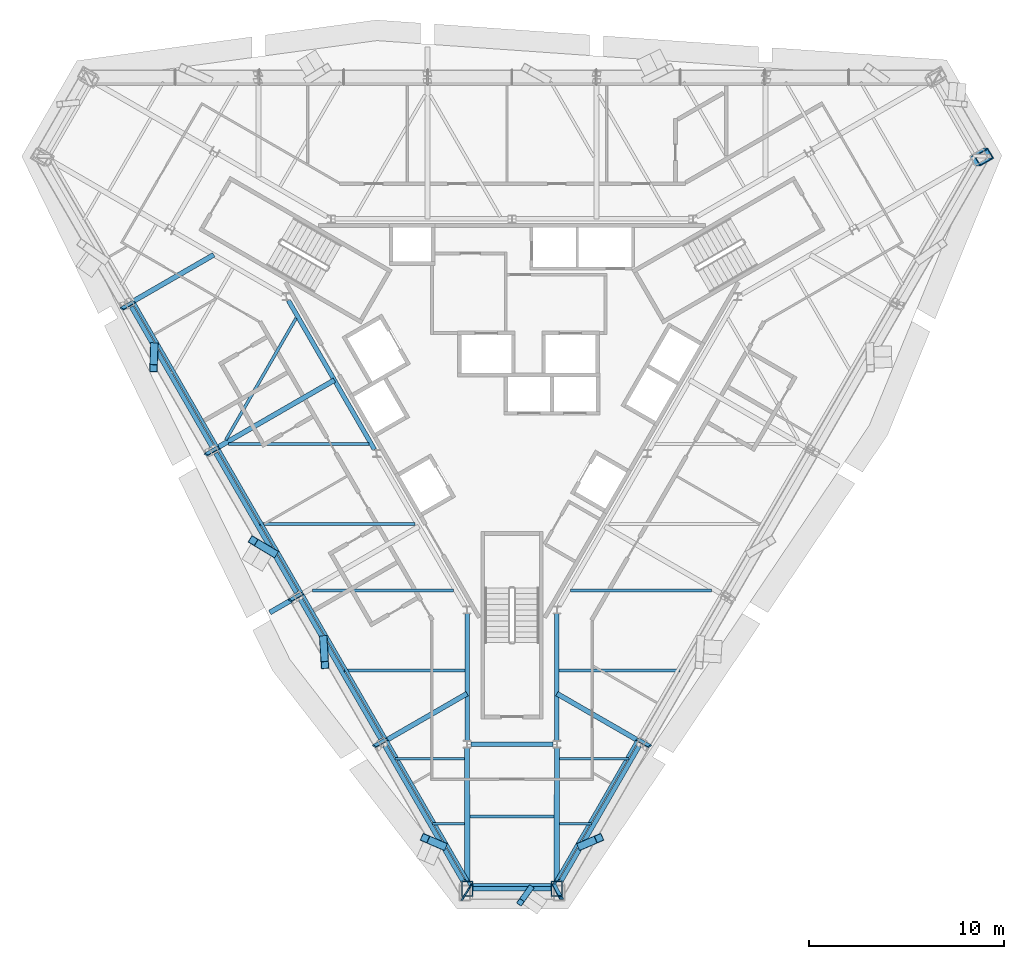
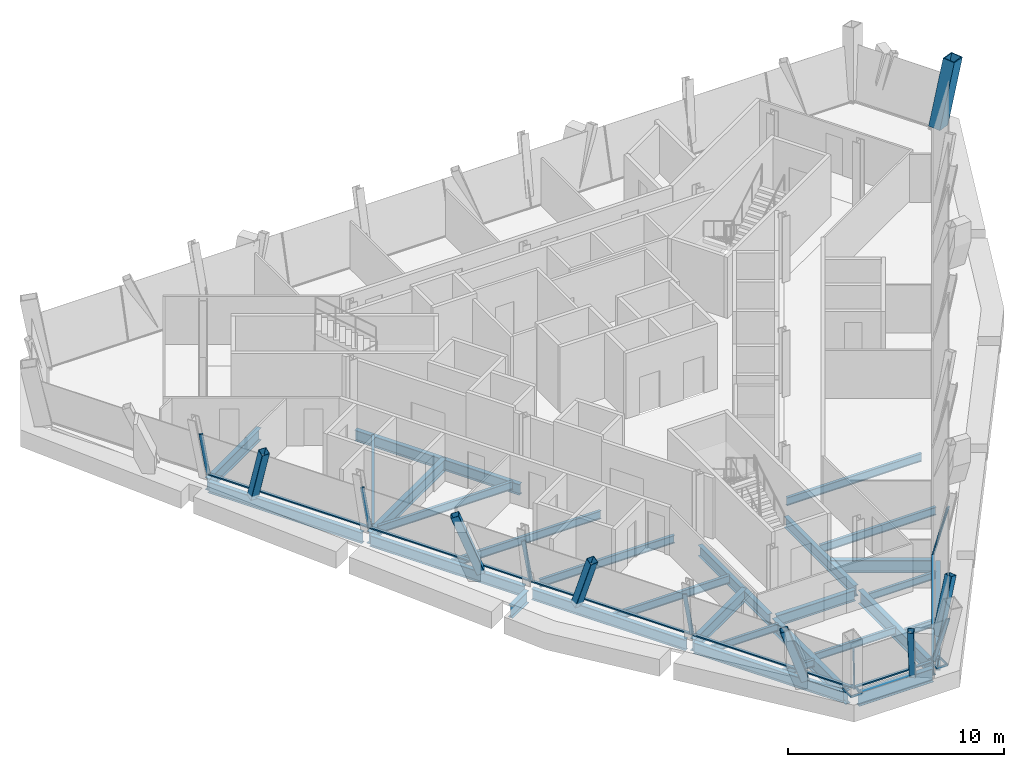
# One storey, part 2 of 10: 29 beams, 21 members, 1 column, 3 elements without a shape of their own.
"""IFC4 building model written with IfcOpenShell, lengths in metres."""

from ifc_helpers import new_model, si_unit, direction, frame, origin, origin_2d, place, context, subcontext, project, spatial, rectangle, hollow_rectangle, i_section, extrude, material, material_profile, profile_set, type_object, element, aggregate, save


model = new_model("IFC4")

# Units and contexts
model_context = context("Model", 3, precision=1e-05, world=origin(), true_north=direction((0.0, 1.0)))
body_context = subcontext(model_context, "Body", "Model", "MODEL_VIEW")
ifc_project = project(units=[si_unit("LENGTHUNIT", "METRE"), si_unit("AREAUNIT", "SQUARE_METRE"), si_unit("VOLUMEUNIT", "CUBIC_METRE"), si_unit("PLANEANGLEUNIT", "RADIAN"), si_unit("MASSUNIT", "GRAM", prefix="KILO")], contexts=[model_context])

# Site, building, storey
site_placement = place(None, origin())
site = spatial("IfcSite", under=ifc_project, at=site_placement, CompositionType="ELEMENT")
building_placement = place(site_placement, origin())
building = spatial("IfcBuilding", under=site, at=building_placement, Name="Verrane Prism Tower", CompositionType="ELEMENT")
storey_placement = place(building_placement, frame((0.0, 0.0, 213.800048828125)))
storey = spatial("IfcBuildingStorey", under=building, at=storey_placement, Name="L53", CompositionType="ELEMENT", Elevation=213.800048828125)

# Column
ifc_material_1 = material(Name="Steel A572 Grade 50", Category="steel")
ifc_material_profile_1 = material_profile(ifc_material_1, hollow_rectangle(XDim=0.60009765625, YDim=0.800048828125, WallThickness=0.050048828125, at=origin_2d()), Name="BOX 800x600x50")
ifc_profile_set_1 = profile_set([ifc_material_profile_1], Name="Steel A572 Grade 50")
column_type = type_object("IfcColumnType", Name="Megacolumn BOX 800x600x50", PredefinedType="COLUMN", material=ifc_profile_set_1)
column_placement = place(storey_placement, frame((23.92431640625, 11.159912109375, 0.06494140625), z_axis=(0.213838328366, 0.0, 0.976869064574), x_axis=(0.497033455356, -0.860883256594, -0.10880148332)))
element("IfcColumn", 1, at=column_placement, inside=storey, type_object=column_type, Name="Megacolumn MC-NE.a L53", PredefinedType="COLUMN", context=body_context, shape_type="SweptSolid", body=[
    extrude(hollow_rectangle(XDim=0.60009765625, YDim=0.800048828125, WallThickness=0.050048828125, at=origin_2d()), origin(), (0.0, 0.0, 1.0), 3.654541015625),
])

# Member
ifc_material_2 = material(Name="Steel A500 Grade C", Category="steel")
ifc_material_profile_2 = material_profile(ifc_material_2, hollow_rectangle(XDim=0.3046875, YDim=0.3046875, WallThickness=0.0126953125, InnerFilletRadius=0.00634765625, OuterFilletRadius=0.01904296875, at=origin_2d()), Name="HSS12x12x1/2")
ifc_profile_set_2 = profile_set([ifc_material_profile_2], Name="Steel A500 Grade C")
member_type_1 = type_object("IfcMemberType", Name="Chamfer brace HSS12x12x1/2", PredefinedType="BRACE", material=ifc_profile_set_2)
member_1_placement = place(storey_placement, frame((0.93359375, -26.2900390625, -0.24267578125), z_axis=(-0.155556400951, -0.217021995876, 0.96369272044), x_axis=(0.81277461966, -0.582578250227, 0.0)))
element("IfcMember", 2, at=member_1_placement, inside=storey, type_object=member_type_1, Name="Chamfer brace S0 L53", PredefinedType="BRACE", context=body_context, shape_type="SweptSolid", body=[
    extrude(hollow_rectangle(XDim=0.3046875, YDim=0.3046875, WallThickness=0.0126953125, InnerFilletRadius=0.00634765625, OuterFilletRadius=0.01904296875, at=origin_2d()), origin(), (0.0, 0.0, 1.0), 3.225341796875),
])

# Beams
ifc_material_3 = material(Name="Steel A992", Category="steel")
ifc_material_profile_3 = material_profile(ifc_material_3, i_section(OverallWidth=0.2666015625, OverallDepth=0.7568359375, WebThickness=0.013916015625, FlangeThickness=0.019287109375, FilletRadius=0.0166015625, at=origin_2d()), Name="W30x108")
ifc_profile_set_3 = profile_set([ifc_material_profile_3], Name="Steel A992")
beam_type_1 = type_object("IfcBeamType", Name="Chamfer spandrel beam W30x108", PredefinedType="SPANDREL", material=ifc_profile_set_3)
beam_1_placement = place(storey_placement, frame((-1.989990234375, -26.2900390625, -0.53857421875), z_axis=(1.0, 0.0, 0.0), x_axis=(0.0, 1.0, 0.0)))
element("IfcBeam", 3, at=beam_1_placement, inside=storey, type_object=beam_type_1, Name="Chamfer spandrel beam L53", PredefinedType="SPANDREL", context=body_context, shape_type="SweptSolid", body=[
    extrude(i_section(OverallWidth=0.2666015625, OverallDepth=0.7568359375, WebThickness=0.013916015625, FlangeThickness=0.019287109375, FilletRadius=0.0166015625, at=origin_2d()), origin(), (0.0, 0.0, 1.0), 3.97998046875),
])
ifc_material_4 = material(Name="Steel A992", Category="steel")
ifc_material_profile_4 = material_profile(ifc_material_4, i_section(OverallWidth=0.23046875, OverallDepth=0.6171875, WebThickness=0.01318359375, FlangeThickness=0.022216796875, FilletRadius=0.012939453125, at=origin_2d()), Name="W24x94")
ifc_profile_set_4 = profile_set([ifc_material_profile_4], Name="Steel A992")
beam_type_2 = type_object("IfcBeamType", Name="Core ring girder W24x94", PredefinedType="BEAM", material=ifc_profile_set_4)
beam_2_placement = place(storey_placement, frame((-11.448486328125, 3.826904296875, -0.55859375), z_axis=(0.499967007444, -0.866044451208, 0.0), x_axis=(0.866044451208, 0.499967007444, 0.0)))
element("IfcBeam", 4, at=beam_2_placement, inside=storey, type_object=beam_type_2, Name="Core ring girder L53", PredefinedType="BEAM", context=body_context, shape_type="SweptSolid", body=[
    extrude(i_section(OverallWidth=0.23046875, OverallDepth=0.6171875, WebThickness=0.01318359375, FlangeThickness=0.022216796875, FilletRadius=0.012939453125, at=origin_2d()), origin(), (0.0, 0.0, 1.0), 8.814453125),
])
beam_3_placement = place(storey_placement, frame((-2.300048828125, -12.212890625, -0.55859375), z_axis=(0.0, -1.0, 0.0), x_axis=(1.0, 0.0, 0.0)))
element("IfcBeam", 5, at=beam_3_placement, inside=storey, type_object=beam_type_2, Name="Core ring girder L53", PredefinedType="BEAM", context=body_context, shape_type="SweptSolid", body=[
    extrude(i_section(OverallWidth=0.23046875, OverallDepth=0.6171875, WebThickness=0.01318359375, FlangeThickness=0.022216796875, FilletRadius=0.012939453125, at=origin_2d()), origin(), (0.0, 0.0, 1.0), 6.48779296875),
])
beam_4_placement = place(storey_placement, frame((-2.099365234375, -18.89990234375, -0.55859375), z_axis=(1.0, 0.0, 0.0), x_axis=(0.0, 1.0, 0.0)))
element("IfcBeam", 6, at=beam_4_placement, inside=storey, type_object=beam_type_2, Name="Core ring girder L53", PredefinedType="BEAM", context=body_context, shape_type="SweptSolid", body=[
    extrude(i_section(OverallWidth=0.23046875, OverallDepth=0.6171875, WebThickness=0.01318359375, FlangeThickness=0.022216796875, FilletRadius=0.012939453125, at=origin_2d()), origin(), (0.0, 0.0, 1.0), 4.19873046875),
])
beam_5_placement = place(storey_placement, frame((2.300048828125, -18.70068359375, -0.55859375), z_axis=(0.0, 1.0, 0.0), x_axis=(-1.0, 0.0, 0.0)))
element("IfcBeam", 7, at=beam_5_placement, inside=storey, type_object=beam_type_2, Name="Core ring girder L53", PredefinedType="BEAM", context=body_context, shape_type="SweptSolid", body=[
    extrude(i_section(OverallWidth=0.23046875, OverallDepth=0.6171875, WebThickness=0.01318359375, FlangeThickness=0.022216796875, FilletRadius=0.012939453125, at=origin_2d()), origin(), (0.0, 0.0, 1.0), 6.48779296875),
])
ifc_material_5 = material(Name="Steel A992", Category="steel")
ifc_material_profile_5 = material_profile(ifc_material_5, i_section(OverallWidth=0.2666015625, OverallDepth=0.76708984375, WebThickness=0.014892578125, FlangeThickness=0.023681640625, FilletRadius=0.0166015625, at=origin_2d()), Name="W30x124")
ifc_profile_set_5 = profile_set([ifc_material_profile_5], Name="Steel A992")
beam_type_3 = type_object("IfcBeamType", Name="Corner girder W30x124", PredefinedType="BEAM", material=ifc_profile_set_5)
for number, where, z_axis, x_axis, name in (
    (8, (-2.29052734375, -25.889892578125, -0.603515625), (-0.001366217176, 0.999999066725, 0.0), (-0.999999066725, -0.001366217176, 0.0), "Corner girder L53"),
    (9, (2.29052734375, -25.889892578125, -0.603515625), (0.001366217176, 0.999999066725, 0.0), (-0.999999066725, 0.001366217176, 0.0), "Corner girder L53"),
):
    element("IfcBeam", number, at=place(storey_placement, frame(where, z_axis=z_axis, x_axis=x_axis)), inside=storey, type_object=beam_type_3, Name=name, PredefinedType="BEAM", context=body_context, shape_type="SweptSolid", body=[
        extrude(i_section(OverallWidth=0.2666015625, OverallDepth=0.76708984375, WebThickness=0.014892578125, FlangeThickness=0.023681640625, FilletRadius=0.0166015625, at=origin_2d()), origin(), (0.0, 0.0, 1.0), 6.79052734375),
    ])

# Members
ifc_material_6 = material(Name="Steel A500 Grade C", Category="steel")
ifc_material_profile_6 = material_profile(ifc_material_6, hollow_rectangle(XDim=0.406494140625, YDim=0.406494140625, WallThickness=0.01904296875, InnerFilletRadius=0.009521484375, OuterFilletRadius=0.028564453125, at=origin_2d()), Name="HSS16x16x3/4")
ifc_profile_set_6 = profile_set([ifc_material_profile_6], Name="Steel A500 Grade C")
member_type_2 = type_object("IfcMemberType", Name="Facade brace HSS16x16x3/4", PredefinedType="BRACE", material=ifc_profile_set_6)
member_2_placement = place(storey_placement, frame((-18.318603515625, 1.465576171875, -0.216796875), z_axis=(-0.010175192612, -0.327554604709, 0.944777458658), x_axis=(0.999517859416, -0.031049133769, 0.0)))
element("IfcMember", 10, at=member_2_placement, inside=storey, type_object=member_type_2, Name="Facade brace SW1 L53", PredefinedType="BRACE", context=body_context, shape_type="SweptSolid", body=[
    extrude(hollow_rectangle(XDim=0.406494140625, YDim=0.406494140625, WallThickness=0.01904296875, InnerFilletRadius=0.009521484375, OuterFilletRadius=0.028564453125, at=origin_2d()), origin(), (0.0, 0.0, 1.0), 3.383056640625),
])
member_3_placement = place(storey_placement, frame((-12.218994140625, -9.09765625, -0.216796875), z_axis=(-0.303173422741, 0.182804144391, 0.935237146684), x_axis=(-0.516363997567, -0.856369208938, 0.0)))
element("IfcMember", 11, at=member_3_placement, inside=storey, type_object=member_type_2, Name="Facade brace SW2 L53", PredefinedType="BRACE", context=body_context, shape_type="SweptSolid", body=[
    extrude(hollow_rectangle(XDim=0.406494140625, YDim=0.406494140625, WallThickness=0.01904296875, InnerFilletRadius=0.009521484375, OuterFilletRadius=0.028564453125, at=origin_2d()), origin(), (0.0, 0.0, 1.0), 3.417724609375),
])
member_4_placement = place(storey_placement, frame((-9.659423828125, -13.5302734375, -0.216796875), z_axis=(0.023386214641, -0.379266465843, 0.924991909614), x_axis=(0.998104321493, 0.061544808199, 0.0)))
element("IfcMember", 12, at=member_4_placement, inside=storey, type_object=member_type_2, Name="Facade brace SW3 L53", PredefinedType="BRACE", context=body_context, shape_type="SweptSolid", body=[
    extrude(hollow_rectangle(XDim=0.406494140625, YDim=0.406494140625, WallThickness=0.01904296875, InnerFilletRadius=0.009521484375, OuterFilletRadius=0.028564453125, at=origin_2d()), origin(), (0.0, 0.0, 1.0), 3.45556640625),
])
for number, where, z_axis, x_axis, name in (
    (13, (-3.5615234375, -24.0908203125, -0.216796875), (-0.295240797724, 0.126969676398, 0.9469485586), (-0.395070116267, -0.918650969211, 0.0), "Facade brace SW4 L53"),
    (14, (3.5615234375, -24.0908203125, -0.216796875), (0.295240797724, 0.126969676398, 0.9469485586), (-0.395070116267, 0.918650969211, 0.0), "Facade brace SE0 L53"),
):
    element("IfcMember", number, at=place(storey_placement, frame(where, z_axis=z_axis, x_axis=x_axis)), inside=storey, type_object=member_type_2, Name=name, PredefinedType="BRACE", context=body_context, shape_type="SweptSolid", body=[
        extrude(hollow_rectangle(XDim=0.406494140625, YDim=0.406494140625, WallThickness=0.01904296875, InnerFilletRadius=0.009521484375, OuterFilletRadius=0.028564453125, at=origin_2d()), origin(), (0.0, 0.0, 1.0), 3.026611328125),
    ])

# Beams
ifc_material_7 = material(Name="Steel A992", Category="steel")
ifc_material_profile_7 = material_profile(ifc_material_7, i_section(OverallWidth=0.140380859375, OverallDepth=0.40380859375, WebThickness=0.007080078125, FlangeThickness=0.01123046875, FilletRadius=0.01025390625, at=origin_2d()), Name="W16x31")
ifc_profile_set_7 = profile_set([ifc_material_profile_7], Name="Steel A992")
beam_type_4 = type_object("IfcBeamType", Name="Floor beam W16x31", PredefinedType="BEAM", material=ifc_profile_set_7)
beam_6_placement = place(storey_placement, frame((-4.080322265625, -22.96337890625, -0.362060546875), z_axis=(1.0, 0.0, 0.0), x_axis=(0.0, 1.0, 0.0)))
element("IfcBeam", 15, at=beam_6_placement, inside=storey, type_object=beam_type_4, Name="Floor beam L53", PredefinedType="BEAM", context=body_context, shape_type="SweptSolid", body=[
    extrude(i_section(OverallWidth=0.140380859375, OverallDepth=0.40380859375, WebThickness=0.007080078125, FlangeThickness=0.01123046875, FilletRadius=0.01025390625, at=origin_2d()), origin(), (0.0, 0.0, 1.0), 1.65234375),
])
beam_7_placement = place(storey_placement, frame((-6.00341796875, -19.63671875, -0.362060546875), z_axis=(1.0, 0.0, 0.0), x_axis=(0.0, 1.0, 0.0)))
element("IfcBeam", 16, at=beam_7_placement, inside=storey, type_object=beam_type_4, Name="Floor beam L53", PredefinedType="BEAM", context=body_context, shape_type="SweptSolid", body=[
    extrude(i_section(OverallWidth=0.140380859375, OverallDepth=0.40380859375, WebThickness=0.007080078125, FlangeThickness=0.01123046875, FilletRadius=0.01025390625, at=origin_2d()), origin(), (0.0, 0.0, 1.0), 3.57080078125),
])
beam_8_placement = place(storey_placement, frame((2.427978515625, -22.96337890625, -0.362060546875), z_axis=(1.0, 0.0, 0.0), x_axis=(0.0, 1.0, 0.0)))
element("IfcBeam", 17, at=beam_8_placement, inside=storey, type_object=beam_type_4, Name="Floor beam L53", PredefinedType="BEAM", context=body_context, shape_type="SweptSolid", body=[
    extrude(i_section(OverallWidth=0.140380859375, OverallDepth=0.40380859375, WebThickness=0.007080078125, FlangeThickness=0.01123046875, FilletRadius=0.01025390625, at=origin_2d()), origin(), (0.0, 0.0, 1.0), 1.65234375),
])
beam_9_placement = place(storey_placement, frame((2.4326171875, -19.63671875, -0.362060546875), z_axis=(1.0, 0.0, 0.0), x_axis=(0.0, 1.0, 0.0)))
element("IfcBeam", 18, at=beam_9_placement, inside=storey, type_object=beam_type_4, Name="Floor beam L53", PredefinedType="BEAM", context=body_context, shape_type="SweptSolid", body=[
    extrude(i_section(OverallWidth=0.140380859375, OverallDepth=0.40380859375, WebThickness=0.007080078125, FlangeThickness=0.01123046875, FilletRadius=0.01025390625, at=origin_2d()), origin(), (0.0, 0.0, 1.0), 3.57080078125),
])
beam_10_placement = place(storey_placement, frame((-2.16162109375, -22.594970703125, -0.362060546875), z_axis=(1.0, 0.0, 0.0), x_axis=(0.0, 1.0, 0.0)))
element("IfcBeam", 19, at=beam_10_placement, inside=storey, type_object=beam_type_4, Name="Floor beam L53", PredefinedType="BEAM", context=body_context, shape_type="SweptSolid", body=[
    extrude(i_section(OverallWidth=0.140380859375, OverallDepth=0.40380859375, WebThickness=0.007080078125, FlangeThickness=0.01123046875, FilletRadius=0.01025390625, at=origin_2d()), origin(), (0.0, 0.0, 1.0), 4.3232421875),
])
ifc_material_8 = material(Name="Steel A992", Category="steel")
ifc_material_profile_8 = material_profile(ifc_material_8, i_section(OverallWidth=0.15234375, OverallDepth=0.449462890625, WebThickness=0.007568359375, FlangeThickness=0.0107421875, FilletRadius=0.01025390625, at=origin_2d()), Name="W18x35")
ifc_profile_set_8 = profile_set([ifc_material_profile_8], Name="Steel A992")
beam_type_5 = type_object("IfcBeamType", Name="Floor beam W18x35", PredefinedType="BEAM", material=ifc_profile_set_8)
beam_11_placement = place(storey_placement, frame((-14.6533203125, -3.317138671875, -0.384765625), z_axis=(0.500002364004, 0.866024038922, 0.0), x_axis=(-0.866024038922, 0.500002364004, 0.0)))
element("IfcBeam", 20, at=beam_11_placement, inside=storey, type_object=beam_type_5, Name="Floor beam L53", PredefinedType="BEAM", context=body_context, shape_type="SweptSolid", body=[
    extrude(i_section(OverallWidth=0.15234375, OverallDepth=0.449462890625, WebThickness=0.007568359375, FlangeThickness=0.0107421875, FilletRadius=0.01025390625, at=origin_2d()), origin(), (0.0, 0.0, 1.0), 7.19775390625),
])
beam_12_placement = place(storey_placement, frame((-12.9384765625, -7.623291015625, -0.384765625), z_axis=(1.0, 0.0, 0.0), x_axis=(0.0, 1.0, 0.0)))
element("IfcBeam", 21, at=beam_12_placement, inside=storey, type_object=beam_type_5, Name="Floor beam L53", PredefinedType="BEAM", context=body_context, shape_type="SweptSolid", body=[
    extrude(i_section(OverallWidth=0.15234375, OverallDepth=0.449462890625, WebThickness=0.007568359375, FlangeThickness=0.0107421875, FilletRadius=0.01025390625, at=origin_2d()), origin(), (0.0, 0.0, 1.0), 7.962890625),
])
beam_13_placement = place(storey_placement, frame((-14.525390625, -3.53662109375, -0.384765625), z_axis=(1.0, 0.0, 0.0), x_axis=(0.0, 1.0, 0.0)))
element("IfcBeam", 22, at=beam_13_placement, inside=storey, type_object=beam_type_5, Name="Floor beam L53", PredefinedType="BEAM", context=body_context, shape_type="SweptSolid", body=[
    extrude(i_section(OverallWidth=0.15234375, OverallDepth=0.449462890625, WebThickness=0.007568359375, FlangeThickness=0.0107421875, FilletRadius=0.01025390625, at=origin_2d()), origin(), (0.0, 0.0, 1.0), 7.19580078125),
])
beam_14_placement = place(storey_placement, frame((-8.61181640625, -15.11669921875, -0.384765625), z_axis=(1.0, 0.0, 0.0), x_axis=(0.0, 1.0, 0.0)))
element("IfcBeam", 23, at=beam_14_placement, inside=storey, type_object=beam_type_5, Name="Floor beam L53", PredefinedType="BEAM", context=body_context, shape_type="SweptSolid", body=[
    extrude(i_section(OverallWidth=0.15234375, OverallDepth=0.449462890625, WebThickness=0.007568359375, FlangeThickness=0.0107421875, FilletRadius=0.01025390625, at=origin_2d()), origin(), (0.0, 0.0, 1.0), 6.19677734375),
])
beam_15_placement = place(storey_placement, frame((-10.20654296875, -11.033203125, -0.384765625), z_axis=(1.0, 0.0, 0.0), x_axis=(0.0, 1.0, 0.0)))
element("IfcBeam", 24, at=beam_15_placement, inside=storey, type_object=beam_type_5, Name="Floor beam L53", PredefinedType="BEAM", context=body_context, shape_type="SweptSolid", body=[
    extrude(i_section(OverallWidth=0.15234375, OverallDepth=0.449462890625, WebThickness=0.007568359375, FlangeThickness=0.0107421875, FilletRadius=0.01025390625, at=origin_2d()), origin(), (0.0, 0.0, 1.0), 7.203125),
])
beam_16_placement = place(storey_placement, frame((2.4150390625, -15.11669921875, -0.384765625), z_axis=(1.0, 0.0, 0.0), x_axis=(0.0, 1.0, 0.0)))
element("IfcBeam", 25, at=beam_16_placement, inside=storey, type_object=beam_type_5, Name="Floor beam L53", PredefinedType="BEAM", context=body_context, shape_type="SweptSolid", body=[
    extrude(i_section(OverallWidth=0.15234375, OverallDepth=0.449462890625, WebThickness=0.007568359375, FlangeThickness=0.0107421875, FilletRadius=0.01025390625, at=origin_2d()), origin(), (0.0, 0.0, 1.0), 6.19677734375),
])
beam_17_placement = place(storey_placement, frame((3.00341796875, -11.033203125, -0.384765625), z_axis=(1.0, 0.0, 0.0), x_axis=(0.0, 1.0, 0.0)))
element("IfcBeam", 26, at=beam_17_placement, inside=storey, type_object=beam_type_5, Name="Floor beam L53", PredefinedType="BEAM", context=body_context, shape_type="SweptSolid", body=[
    extrude(i_section(OverallWidth=0.15234375, OverallDepth=0.449462890625, WebThickness=0.007568359375, FlangeThickness=0.0107421875, FilletRadius=0.01025390625, at=origin_2d()), origin(), (0.0, 0.0, 1.0), 7.203125),
])

# Members
ifc_material_9 = material(Name="Steel A572 Grade 50", Category="steel")
ifc_material_profile_9 = material_profile(ifc_material_9, hollow_rectangle(XDim=0.60009765625, YDim=0.800048828125, WallThickness=0.050048828125, at=origin_2d()), Name="BOX 800x600x50")
ifc_profile_set_9 = profile_set([ifc_material_profile_9], Name="Steel A572 Grade 50")
member_type_3 = type_object("IfcMemberType", Name="Kink node BOX 800x600x50", PredefinedType="COLLAR", material=ifc_profile_set_9)
for number, where, z_axis, x_axis, name in (
    (27, (-2.29345703125, -26.296142578125, -0.06494140625), (0.0, 0.0, 1.0), (-1.0, 0.0, 0.0), "Kink node MC4 L53"),
    (28, (2.29345703125, -26.296142578125, -0.06494140625), (0.0, 0.0, 1.0), (-1.0, 0.0, 0.0), "Kink node MC4 L53"),
):
    element("IfcMember", number, at=place(storey_placement, frame(where, z_axis=z_axis, x_axis=x_axis)), inside=storey, type_object=member_type_3, Name=name, PredefinedType="COLLAR", context=body_context, shape_type="SweptSolid", body=[
        extrude(hollow_rectangle(XDim=0.60009765625, YDim=0.800048828125, WallThickness=0.050048828125, at=origin_2d()), origin(), (0.0, 0.0, 1.0), 0.1298828125),
    ])

# Curtain wall, members
ifc_material_10 = material(Name="Aluminium framed insulated glazing", Category="aluminium")
curtain_wall_type = type_object("IfcCurtainWallType", Name="Curtain wall CW-A 8400 module", PredefinedType="NOTDEFINED", material=ifc_material_10)
curtain_wall_1_placement = place(storey_placement, origin())
curtain_wall_1 = element("IfcCurtainWall", 29, at=curtain_wall_1_placement, inside=storey, type_object=curtain_wall_type, Name="Glazed curtain wall south-west face L53", PredefinedType="NOTDEFINED")
ifc_material_11 = material(Name="Aluminium alloy 6063-T6", Category="aluminium")
ifc_material_profile_10 = material_profile(ifc_material_11, rectangle(XDim=0.199951171875, YDim=0.070068359375, at=origin_2d()), Name="Mullion 70x200 aluminium")
ifc_profile_set_10 = profile_set([ifc_material_profile_10], Name="Aluminium alloy 6063-T6")
member_type_4 = type_object("IfcMemberType", Name="Mullion 70x200 aluminium", PredefinedType="MULLION", material=ifc_profile_set_10)
member_5_placement = place(storey_placement, frame((-19.37060546875, 3.747314453125, 0.0), z_axis=(-0.216364904862, -0.124956614407, 0.968283053895), x_axis=(0.852358286313, -0.507817334077, 0.124927606898)))
member_5 = element("IfcMember", 30, at=member_5_placement, type_object=member_type_4, Name="CW51.4 mullion 2", PredefinedType="MULLION", context=body_context, shape_type="SweptSolid", body=[
    extrude(rectangle(XDim=0.199951171875, YDim=0.070068359375, at=origin_2d()), origin(), (0.0, 0.0, 1.0), 2.8017578125),
])
member_6_placement = place(storey_placement, frame((-15.060302734375, -3.71826171875, 0.0), z_axis=(-0.216450317663, -0.124868480358, 0.968275334085), x_axis=(0.852112940019, -0.508225238491, 0.124942564457)))
member_6 = element("IfcMember", 31, at=member_6_placement, type_object=member_type_4, Name="CW51.4 mullion 3", PredefinedType="MULLION", context=body_context, shape_type="SweptSolid", body=[
    extrude(rectangle(XDim=0.199951171875, YDim=0.070068359375, at=origin_2d()), origin(), (0.0, 0.0, 1.0), 2.8017578125),
])
member_7_placement = place(storey_placement, frame((-10.750244140625, -11.18359375, 0.0), z_axis=(-0.216364904862, -0.124956614407, 0.968283053895), x_axis=(0.852358286313, -0.507817334077, 0.124927606898)))
member_7 = element("IfcMember", 32, at=member_7_placement, type_object=member_type_4, Name="CW51.4 mullion 4", PredefinedType="MULLION", context=body_context, shape_type="SweptSolid", body=[
    extrude(rectangle(XDim=0.199951171875, YDim=0.070068359375, at=origin_2d()), origin(), (0.0, 0.0, 1.0), 2.8017578125),
])
member_8_placement = place(storey_placement, frame((-6.43994140625, -18.649169921875, 0.0), z_axis=(-0.216450317663, -0.124868480358, 0.968275334085), x_axis=(0.852112940019, -0.508225238491, 0.124942564457)))
member_8 = element("IfcMember", 33, at=member_8_placement, type_object=member_type_4, Name="CW51.4 mullion 5", PredefinedType="MULLION", context=body_context, shape_type="SweptSolid", body=[
    extrude(rectangle(XDim=0.199951171875, YDim=0.070068359375, at=origin_2d()), origin(), (0.0, 0.0, 1.0), 2.8017578125),
])

# Curtain wall, member
curtain_wall_2_placement = place(storey_placement, origin())
curtain_wall_2 = element("IfcCurtainWall", 34, at=curtain_wall_2_placement, inside=storey, type_object=curtain_wall_type, Name="Glazed curtain wall south corner L53", PredefinedType="NOTDEFINED")
member_9_placement = place(storey_placement, frame((-2.094970703125, -26.114501953125, 0.0), z_axis=(-0.154784599439, -0.246897792654, 0.956599815889), x_axis=(0.508114104522, 0.810495690639, 0.291404859673)))
member_9 = element("IfcMember", 35, at=member_9_placement, type_object=member_type_4, Name="CW51.5 mullion 1", PredefinedType="MULLION", context=body_context, shape_type="SweptSolid", body=[
    extrude(rectangle(XDim=0.199951171875, YDim=0.070068359375, at=origin_2d()), origin(), (0.0, 0.0, 1.0), 2.8359375),
])

# Curtain wall, members
curtain_wall_3_placement = place(storey_placement, origin())
curtain_wall_3 = element("IfcCurtainWall", 36, at=curtain_wall_3_placement, inside=storey, type_object=curtain_wall_type, Name="Glazed curtain wall south-east face L53", PredefinedType="NOTDEFINED")
member_10_placement = place(storey_placement, frame((2.1474609375, -26.084228515625, 0.0), z_axis=(0.136276012567, -0.257572855085, 0.956600790676), x_axis=(-0.989169137978, 0.017770384324, 0.14570048014)))
member_10 = element("IfcMember", 37, at=member_10_placement, type_object=member_type_4, Name="CW51.6 mullion 1", PredefinedType="MULLION", context=body_context, shape_type="SweptSolid", body=[
    extrude(rectangle(XDim=0.199951171875, YDim=0.070068359375, at=origin_2d()), origin(), (0.0, 0.0, 1.0), 2.8359375),
])
member_11_placement = place(storey_placement, frame((6.43994140625, -18.649169921875, 0.0), z_axis=(0.216367259975, -0.124870835096, 0.968293593572), x_axis=(-0.852209420191, -0.50807214042, 0.124907182605)))
member_11 = element("IfcMember", 38, at=member_11_placement, type_object=member_type_4, Name="CW51.6 mullion 2", PredefinedType="MULLION", context=body_context, shape_type="SweptSolid", body=[
    extrude(rectangle(XDim=0.199951171875, YDim=0.070068359375, at=origin_2d()), origin(), (0.0, 0.0, 1.0), 2.8017578125),
])

# Beams
ifc_material_12 = material(Name="Steel A992", Category="steel")
ifc_material_profile_11 = material_profile(ifc_material_12, i_section(OverallWidth=0.25390625, OverallDepth=0.683349609375, WebThickness=0.012451171875, FlangeThickness=0.01904296875, FilletRadius=0.01513671875, at=origin_2d()), Name="W27x94")
ifc_profile_set_11 = profile_set([ifc_material_profile_11], Name="Steel A992")
beam_type_6 = type_object("IfcBeamType", Name="Radial girder W27x94", PredefinedType="BEAM", material=ifc_profile_set_11)
beam_18_placement = place(storey_placement, frame((-19.417236328125, 3.769775390625, -0.561767578125), z_axis=(0.866040325021, 0.49997415477, 0.0), x_axis=(-0.49997415477, 0.866040325021, 0.0)))
element("IfcBeam", 39, at=beam_18_placement, inside=storey, type_object=beam_type_6, Name="Radial girder L53", PredefinedType="BEAM", context=body_context, shape_type="SweptSolid", body=[
    extrude(i_section(OverallWidth=0.25390625, OverallDepth=0.683349609375, WebThickness=0.012451171875, FlangeThickness=0.01904296875, FilletRadius=0.01513671875, at=origin_2d()), origin(), (0.0, 0.0, 1.0), 4.785888671875),
])
beam_19_placement = place(storey_placement, frame((-15.097412109375, -3.72021484375, -0.561767578125), z_axis=(0.866039581409, 0.499975442831, 0.0), x_axis=(-0.499975442831, 0.866039581409, 0.0)))
element("IfcBeam", 40, at=beam_19_placement, inside=storey, type_object=beam_type_6, Name="Radial girder L53", PredefinedType="BEAM", context=body_context, shape_type="SweptSolid", body=[
    extrude(i_section(OverallWidth=0.25390625, OverallDepth=0.683349609375, WebThickness=0.012451171875, FlangeThickness=0.01904296875, FilletRadius=0.01513671875, at=origin_2d()), origin(), (0.0, 0.0, 1.0), 6.933349609375),
])
for number, where, z_axis, x_axis, name in (
    (41, (-6.447265625, -18.7001953125, -0.561767578125), (0.866035316221, 0.499982830763, 0.0), (-0.499982830763, 0.866035316221, 0.0), "Radial girder L53"),
    (42, (6.447265625, -18.7001953125, -0.561767578125), (-0.866035316221, 0.499982830763, 0.0), (-0.499982830763, -0.866035316221, 0.0), "Radial girder L53"),
):
    element("IfcBeam", number, at=place(storey_placement, frame(where, z_axis=z_axis, x_axis=x_axis)), inside=storey, type_object=beam_type_6, Name=name, PredefinedType="BEAM", context=body_context, shape_type="SweptSolid", body=[
        extrude(i_section(OverallWidth=0.25390625, OverallDepth=0.683349609375, WebThickness=0.012451171875, FlangeThickness=0.01904296875, FilletRadius=0.01513671875, at=origin_2d()), origin(), (0.0, 0.0, 1.0), 4.788818359375),
    ])
beam_20_placement = place(storey_placement, frame((-11.109130859375, -11.40771484375, -0.561767578125), z_axis=(-0.866054481515, -0.499949632511, 0.0), x_axis=(0.499949632511, -0.866054481515, 0.0)))
element("IfcBeam", 43, at=beam_20_placement, inside=storey, type_object=beam_type_6, Name="Cantilever girder L53", PredefinedType="BEAM", context=body_context, shape_type="SweptSolid", body=[
    extrude(i_section(OverallWidth=0.25390625, OverallDepth=0.683349609375, WebThickness=0.012451171875, FlangeThickness=0.01904296875, FilletRadius=0.01513671875, at=origin_2d()), origin(), (0.0, 0.0, 1.0), 1.488525390625),
])
ifc_material_13 = material(Name="Steel A992", Category="steel")
ifc_material_profile_12 = material_profile(ifc_material_13, i_section(OverallWidth=0.23046875, OverallDepth=0.6171875, WebThickness=0.01318359375, FlangeThickness=0.022216796875, FilletRadius=0.012939453125, at=origin_2d()), Name="W24x94")
ifc_profile_set_12 = profile_set([ifc_material_profile_12], Name="Steel A992")
beam_type_7 = type_object("IfcBeamType", Name="Spandrel beam W24x94", PredefinedType="SPANDREL", material=ifc_profile_set_12)
beam_21_placement = place(storey_placement, frame((-19.48974609375, 3.49609375, -0.46875), z_axis=(0.499613933384, -0.866248184742, 0.0), x_axis=(0.866248184742, 0.499613933384, 0.0)))
element("IfcBeam", 44, at=beam_21_placement, inside=storey, type_object=beam_type_7, Name="Spandrel beam L53", PredefinedType="SPANDREL", context=body_context, shape_type="SweptSolid", body=[
    extrude(i_section(OverallWidth=0.23046875, OverallDepth=0.6171875, WebThickness=0.01318359375, FlangeThickness=0.022216796875, FilletRadius=0.012939453125, at=origin_2d()), origin(), (0.0, 0.0, 1.0), 8.2451171875),
])
beam_22_placement = place(storey_placement, frame((-15.169677734375, -3.99365234375, -0.46875), z_axis=(0.500511266251, -0.865730022788, 0.0), x_axis=(0.865730022788, 0.500511266251, 0.0)))
element("IfcBeam", 45, at=beam_22_placement, inside=storey, type_object=beam_type_7, Name="Spandrel beam L53", PredefinedType="SPANDREL", context=body_context, shape_type="SweptSolid", body=[
    extrude(i_section(OverallWidth=0.23046875, OverallDepth=0.6171875, WebThickness=0.01318359375, FlangeThickness=0.022216796875, FilletRadius=0.012939453125, at=origin_2d()), origin(), (0.0, 0.0, 1.0), 8.250244140625),
])
beam_23_placement = place(storey_placement, frame((-10.839599609375, -11.48388671875, -0.46875), z_axis=(0.499613933384, -0.866248184742, 0.0), x_axis=(0.866248184742, 0.499613933384, 0.0)))
element("IfcBeam", 46, at=beam_23_placement, inside=storey, type_object=beam_type_7, Name="Spandrel beam L53", PredefinedType="SPANDREL", context=body_context, shape_type="SweptSolid", body=[
    extrude(i_section(OverallWidth=0.23046875, OverallDepth=0.6171875, WebThickness=0.01318359375, FlangeThickness=0.022216796875, FilletRadius=0.012939453125, at=origin_2d()), origin(), (0.0, 0.0, 1.0), 8.2451171875),
])
for number, where, z_axis, x_axis, name in (
    (47, (-6.51953125, -18.9736328125, -0.46875), (0.500486844155, -0.865744141666, 0.0), (0.865744141666, 0.500486844155, 0.0), "Spandrel beam L53"),
    (48, (2.521240234375, -25.889892578125, -0.46875), (0.500486844155, 0.865744141666, 0.0), (-0.865744141666, 0.500486844155, 0.0), "Spandrel beam L53"),
):
    element("IfcBeam", number, at=place(storey_placement, frame(where, z_axis=z_axis, x_axis=x_axis)), inside=storey, type_object=beam_type_7, Name=name, PredefinedType="SPANDREL", context=body_context, shape_type="SweptSolid", body=[
        extrude(i_section(OverallWidth=0.23046875, OverallDepth=0.6171875, WebThickness=0.01318359375, FlangeThickness=0.022216796875, FilletRadius=0.012939453125, at=origin_2d()), origin(), (0.0, 0.0, 1.0), 7.98876953125),
    ])

# Member
ifc_material_14 = material(Name="Aluminium alloy 6063-T6", Category="aluminium")
ifc_material_profile_13 = material_profile(ifc_material_14, rectangle(XDim=0.14990234375, YDim=0.070068359375, at=origin_2d()), Name="Transom 70x150 aluminium")
ifc_profile_set_13 = profile_set([ifc_material_profile_13], Name="Aluminium alloy 6063-T6")
member_type_5 = type_object("IfcMemberType", Name="Transom 70x150 aluminium", PredefinedType="USERDEFINED", material=ifc_profile_set_13)
member_12_placement = place(storey_placement, frame((-19.35302734375, 3.717041015625, 0.034912109375), z_axis=(0.499986915336, -0.866032958087, 0.0), x_axis=(0.866032958087, 0.499986915336, 0.0)))
member_12 = element("IfcMember", 49, at=member_12_placement, type_object=member_type_5, Name="CW51.4 transom 2", ObjectType="TRANSOM", PredefinedType="USERDEFINED", context=body_context, shape_type="SweptSolid", body=[
    extrude(rectangle(XDim=0.14990234375, YDim=0.070068359375, at=origin_2d()), origin(), (0.0, 0.0, 1.0), 8.550537109375),
])

member_13_placement = place(storey_placement, frame((-15.04296875, -3.74853515625, 0.034912109375), z_axis=(0.499999279071, -0.866025820012, 0.0), x_axis=(0.866025820012, 0.499999279071, 0.0)))
member_13 = element("IfcMember", 50, at=member_13_placement, type_object=member_type_5, Name="CW51.4 transom 3", ObjectType="TRANSOM", PredefinedType="USERDEFINED", context=body_context, shape_type="SweptSolid", body=[
    extrude(rectangle(XDim=0.14990234375, YDim=0.070068359375, at=origin_2d()), origin(), (0.0, 0.0, 1.0), 8.55029296875),
])

member_14_placement = place(storey_placement, frame((-10.732666015625, -11.2138671875, 0.034912109375), z_axis=(0.499999279071, -0.866025820012, 0.0), x_axis=(0.866025820012, 0.499999279071, 0.0)))
member_14 = element("IfcMember", 51, at=member_14_placement, type_object=member_type_5, Name="CW51.4 transom 4", ObjectType="TRANSOM", PredefinedType="USERDEFINED", context=body_context, shape_type="SweptSolid", body=[
    extrude(rectangle(XDim=0.14990234375, YDim=0.070068359375, at=origin_2d()), origin(), (0.0, 0.0, 1.0), 8.55029296875),
])

member_15_placement = place(storey_placement, frame((-6.422607421875, -18.679443359375, 0.034912109375), z_axis=(0.500007995801, -0.866020787358, 0.0), x_axis=(0.866020787358, 0.500007995801, 0.0)))
member_15 = element("IfcMember", 52, at=member_15_placement, type_object=member_type_5, Name="CW51.4 transom 5", ObjectType="TRANSOM", PredefinedType="USERDEFINED", context=body_context, shape_type="SweptSolid", body=[
    extrude(rectangle(XDim=0.14990234375, YDim=0.070068359375, at=origin_2d()), origin(), (0.0, 0.0, 1.0), 8.585205078125),
])

aggregate(curtain_wall_1, [member_5, member_6, member_7, member_8, member_12, member_13, member_14, member_15])

member_16_placement = place(storey_placement, frame((-2.059814453125, -26.114501953125, 0.034912109375), z_axis=(1.0, 0.0, 0.0), x_axis=(0.0, 1.0, 0.0)))
member_16 = element("IfcMember", 53, at=member_16_placement, type_object=member_type_5, Name="CW51.5 transom 1", ObjectType="TRANSOM", PredefinedType="USERDEFINED", context=body_context, shape_type="SweptSolid", body=[
    extrude(rectangle(XDim=0.14990234375, YDim=0.070068359375, at=origin_2d()), origin(), (0.0, 0.0, 1.0), 4.189697265625),
])

aggregate(curtain_wall_2, [member_9, member_16])

member_17_placement = place(storey_placement, frame((2.164794921875, -26.053955078125, 0.034912109375), z_axis=(0.500011993549, 0.866018479195, 0.0), x_axis=(-0.866018479195, 0.500011993549, 0.0)))
member_17 = element("IfcMember", 54, at=member_17_placement, type_object=member_type_5, Name="CW51.6 transom 1", ObjectType="TRANSOM", PredefinedType="USERDEFINED", context=body_context, shape_type="SweptSolid", body=[
    extrude(rectangle(XDim=0.14990234375, YDim=0.070068359375, at=origin_2d()), origin(), (0.0, 0.0, 1.0), 8.515380859375),
])

aggregate(curtain_wall_3, [member_10, member_11, member_17])

save(model, "model.ifc")
